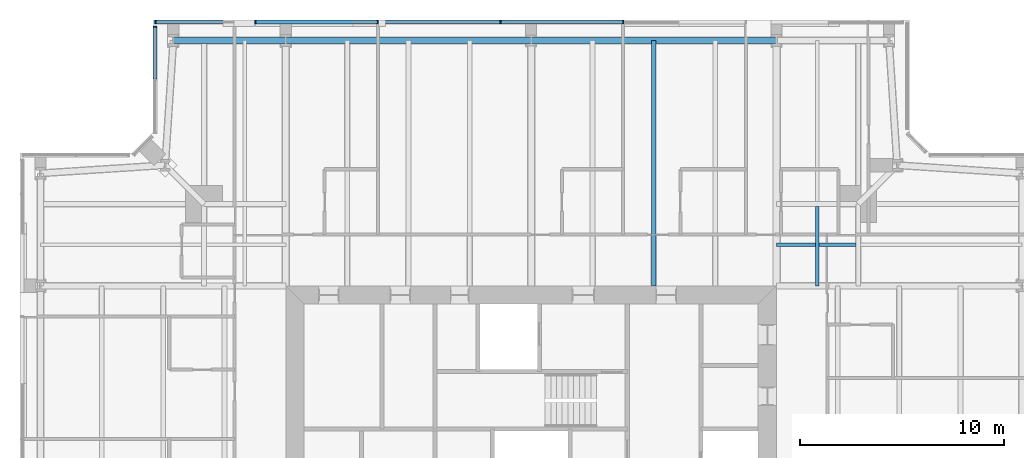
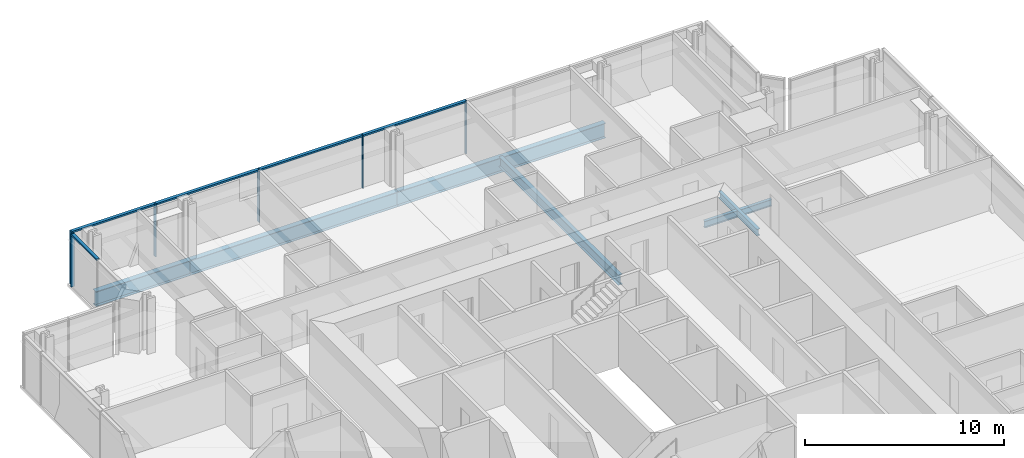
# One storey, part 8 of 18: 11 members, 7 beams, 2 elements without a shape of their own.
"""IFC4 building model written with IfcOpenShell, lengths in metres."""

from ifc_helpers import new_model, si_unit, direction, frame, origin, origin_2d, place, context, subcontext, project, spatial, rectangle, i_section, extrude, material, material_profile, profile_set, type_object, element, aggregate, save


model = new_model("IFC4")

# Units and contexts
model_context = context("Model", 3, precision=1e-05, world=origin(), true_north=direction((0.0, 1.0)))
body_context = subcontext(model_context, "Body", "Model", "MODEL_VIEW")
ifc_project = project(units=[si_unit("LENGTHUNIT", "METRE"), si_unit("AREAUNIT", "SQUARE_METRE"), si_unit("VOLUMEUNIT", "CUBIC_METRE"), si_unit("PLANEANGLEUNIT", "RADIAN"), si_unit("MASSUNIT", "GRAM", prefix="KILO")], contexts=[model_context])

# Site, building, storey
site_placement = place(None, origin())
site = spatial("IfcSite", under=ifc_project, at=site_placement, CompositionType="ELEMENT")
building_placement = place(site_placement, origin())
building = spatial("IfcBuilding", under=site, at=building_placement, Name="Fenwick Lantern Interchange", CompositionType="ELEMENT")
storey_placement = place(building_placement, frame((0.0, 0.0, 266.199951171875)))
storey = spatial("IfcBuildingStorey", under=building, at=storey_placement, Name="L63", CompositionType="ELEMENT", Elevation=266.199951171875)

# Beams
ifc_material_1 = material(Name="Steel ASTM A992 Grade 50", Category="steel")
ifc_material_profile_1 = material_profile(ifc_material_1, i_section(OverallWidth=0.3046875, OverallDepth=0.911865234375, WebThickness=0.015869140625, FlangeThickness=0.02392578125, at=origin_2d()), Name="W36X150")
ifc_profile_set_1 = profile_set([ifc_material_profile_1], Name="Steel ASTM A992 Grade 50")
beam_type_1 = type_object("IfcBeamType", Name="EDGE BEAM W36X150", PredefinedType="SPANDREL", material=ifc_profile_set_1)
for number, where, z_axis, x_axis, name in (
    (1, (37.0, 49.0, -0.60595703125), (-1.0, 0.0, 0.0), (0.0, -1.0, 0.0), "L63/FR/N/EB2"),
    (2, (25.0, 49.0, -0.60595703125), (-1.0, 0.0, 0.0), (0.0, -1.0, 0.0), "L63/FR/N/EB3"),
):
    element("IfcBeam", number, at=place(storey_placement, frame(where, z_axis=z_axis, x_axis=x_axis)), inside=storey, type_object=beam_type_1, Name=name, PredefinedType="SPANDREL", context=body_context, shape_type="SweptSolid", body=[
        extrude(i_section(OverallWidth=0.3046875, OverallDepth=0.911865234375, WebThickness=0.015869140625, FlangeThickness=0.02392578125, at=origin_2d()), origin(), (0.0, 0.0, 1.0), 12.0),
    ])
beam_1_placement = place(storey_placement, frame((13.0, 49.0, -0.60595703125), z_axis=(-1.0, 0.0, 0.0), x_axis=(0.0, -1.0, 0.0)))
element("IfcBeam", 3, at=beam_1_placement, inside=storey, type_object=beam_type_1, Name="L63/FR/N/EB4", PredefinedType="SPANDREL", context=body_context, shape_type="SweptSolid", body=[
    extrude(i_section(OverallWidth=0.3046875, OverallDepth=0.911865234375, WebThickness=0.015869140625, FlangeThickness=0.02392578125, at=origin_2d()), origin(), (0.0, 0.0, 1.0), 5.5),
])
ifc_material_profile_2 = material_profile(ifc_material_1, i_section(OverallWidth=0.22900390625, OverallDepth=0.612060546875, WebThickness=0.011962890625, FlangeThickness=0.01953125, at=origin_2d()), Name="W24X84")
ifc_profile_set_2 = profile_set([ifc_material_profile_2], Name="Steel ASTM A992 Grade 50")
beam_type_2 = type_object("IfcBeamType", Name="FLOOR BEAM W24X84", PredefinedType="BEAM", material=ifc_profile_set_2)
beam_2_placement = place(storey_placement, frame((31.0, 49.0, -0.4560546875), z_axis=(0.0, -1.0, 0.0), x_axis=(1.0, 0.0, 0.0)))
element("IfcBeam", 4, at=beam_2_placement, inside=storey, type_object=beam_type_2, Name="L63/FR/N/R03", PredefinedType="BEAM", context=body_context, shape_type="SweptSolid", body=[
    extrude(i_section(OverallWidth=0.22900390625, OverallDepth=0.612060546875, WebThickness=0.011962890625, FlangeThickness=0.01953125, at=origin_2d()), origin(), (0.0, 0.0, 1.0), 12.0),
])

# Curtain wall, members
ifc_material_2 = material(Name="Aluminium curtain wall frame", Category="aluminium")
curtain_wall_type = type_object("IfcCurtainWallType", Name="HOTEL CURTAIN WALL", PredefinedType="USERDEFINED", material=ifc_material_2)
curtain_wall_1_placement = place(storey_placement, origin())
curtain_wall_1 = element("IfcCurtainWall", 5, at=curtain_wall_1_placement, inside=storey, type_object=curtain_wall_type, Name="Hotel curtain wall 09", ObjectType="HOTEL CURTAIN WALL", PredefinedType="USERDEFINED")
ifc_material_3 = material(Name="Aluminium extrusion", Category="aluminium")
ifc_material_profile_3 = material_profile(ifc_material_3, rectangle(XDim=0.179931640625, YDim=0.06005859375, at=origin_2d()), Name="HOTEL CURTAIN WALL MULLION 60 X 180")
ifc_profile_set_3 = profile_set([ifc_material_profile_3], Name="Aluminium extrusion")
member_type_1 = type_object("IfcMemberType", Name="HOTEL CURTAIN WALL MULLION 60 X 180", PredefinedType="MULLION", material=ifc_profile_set_3)
member_1_placement = place(storey_placement, frame((29.5, 49.89990234375, 0.0), z_axis=(0.0, 0.0, 1.0), x_axis=(0.0, -1.0, 0.0)))
member_1 = element("IfcMember", 6, at=member_1_placement, type_object=member_type_1, Name="L63/CW/09/M03", PredefinedType="MULLION", context=body_context, shape_type="SweptSolid", body=[
    extrude(rectangle(XDim=0.179931640625, YDim=0.06005859375, at=origin_2d()), origin(), (0.0, 0.0, 1.0), 3.25),
])
member_2_placement = place(storey_placement, frame((23.5, 49.89990234375, 0.0), z_axis=(0.0, 0.0, 1.0), x_axis=(0.0, -1.0, 0.0)))
member_2 = element("IfcMember", 7, at=member_2_placement, type_object=member_type_1, Name="L63/CW/09/M04", PredefinedType="MULLION", context=body_context, shape_type="SweptSolid", body=[
    extrude(rectangle(XDim=0.179931640625, YDim=0.06005859375, at=origin_2d()), origin(), (0.0, 0.0, 1.0), 3.25),
])
member_3_placement = place(storey_placement, frame((17.5, 49.89990234375, 0.0), z_axis=(0.0, 0.0, 1.0), x_axis=(0.0, -1.0, 0.0)))
member_3 = element("IfcMember", 8, at=member_3_placement, type_object=member_type_1, Name="L63/CW/09/M05", PredefinedType="MULLION", context=body_context, shape_type="SweptSolid", body=[
    extrude(rectangle(XDim=0.179931640625, YDim=0.06005859375, at=origin_2d()), origin(), (0.0, 0.0, 1.0), 3.25),
])
member_4_placement = place(storey_placement, frame((11.5, 49.89990234375, 0.0), z_axis=(0.0, 0.0, 1.0), x_axis=(0.0, -1.0, 0.0)))
member_4 = element("IfcMember", 9, at=member_4_placement, type_object=member_type_1, Name="L63/CW/09/M06", PredefinedType="MULLION", context=body_context, shape_type="SweptSolid", body=[
    extrude(rectangle(XDim=0.179931640625, YDim=0.06005859375, at=origin_2d()), origin(), (0.0, 0.0, 1.0), 3.25),
])
member_5_placement = place(storey_placement, frame((6.6298828125, 49.89990234375, 0.0), z_axis=(0.0, 0.0, 1.0), x_axis=(0.0, -1.0, 0.0)))
member_5 = element("IfcMember", 10, at=member_5_placement, type_object=member_type_1, Name="L63/CW/09/M07", PredefinedType="MULLION", context=body_context, shape_type="SweptSolid", body=[
    extrude(rectangle(XDim=0.179931640625, YDim=0.06005859375, at=origin_2d()), origin(), (0.0, 0.0, 1.0), 3.25),
])

# Curtain wall, member
curtain_wall_2_placement = place(storey_placement, origin())
curtain_wall_2 = element("IfcCurtainWall", 11, at=curtain_wall_2_placement, inside=storey, type_object=curtain_wall_type, Name="Hotel curtain wall 10", ObjectType="HOTEL CURTAIN WALL", PredefinedType="USERDEFINED")
member_6_placement = place(storey_placement, frame((6.60009765625, 49.669921875, 0.0), z_axis=(0.0, 0.0, 1.0), x_axis=(1.0, 0.0, 0.0)))
member_6 = element("IfcMember", 12, at=member_6_placement, type_object=member_type_1, Name="L63/CW/10/M00", PredefinedType="MULLION", context=body_context, shape_type="SweptSolid", body=[
    extrude(rectangle(XDim=0.179931640625, YDim=0.06005859375, at=origin_2d()), origin(), (0.0, 0.0, 1.0), 3.25),
])

# Member
ifc_material_profile_4 = material_profile(ifc_material_3, rectangle(XDim=0.179931640625, YDim=0.10009765625, at=origin_2d()), Name="HOTEL CURTAIN WALL TRANSOM 100 X 180")
ifc_profile_set_4 = profile_set([ifc_material_profile_4], Name="Aluminium extrusion")
member_type_2 = type_object("IfcMemberType", Name="HOTEL CURTAIN WALL TRANSOM 100 X 180", PredefinedType="MULLION", material=ifc_profile_set_4)
member_7_placement = place(storey_placement, frame((29.469970703125, 49.89990234375, 3.199951171875), z_axis=(-1.0, 0.0, 0.0), x_axis=(0.0, -1.0, 0.0)))
member_7 = element("IfcMember", 13, at=member_7_placement, type_object=member_type_2, Name="L63/CW/09/T03", PredefinedType="MULLION", context=body_context, shape_type="SweptSolid", body=[
    extrude(rectangle(XDim=0.179931640625, YDim=0.10009765625, at=origin_2d()), origin(), (0.0, 0.0, 1.0), 5.93994140625),
])

member_8_placement = place(storey_placement, frame((23.469970703125, 49.89990234375, 3.199951171875), z_axis=(-1.0, 0.0, 0.0), x_axis=(0.0, -1.0, 0.0)))
member_8 = element("IfcMember", 14, at=member_8_placement, type_object=member_type_2, Name="L63/CW/09/T04", PredefinedType="MULLION", context=body_context, shape_type="SweptSolid", body=[
    extrude(rectangle(XDim=0.179931640625, YDim=0.10009765625, at=origin_2d()), origin(), (0.0, 0.0, 1.0), 5.93994140625),
])

member_9_placement = place(storey_placement, frame((17.469970703125, 49.89990234375, 3.199951171875), z_axis=(-1.0, 0.0, 0.0), x_axis=(0.0, -1.0, 0.0)))
member_9 = element("IfcMember", 15, at=member_9_placement, type_object=member_type_2, Name="L63/CW/09/T05", PredefinedType="MULLION", context=body_context, shape_type="SweptSolid", body=[
    extrude(rectangle(XDim=0.179931640625, YDim=0.10009765625, at=origin_2d()), origin(), (0.0, 0.0, 1.0), 5.93994140625),
])

member_10_placement = place(storey_placement, frame((11.469970703125, 49.89990234375, 3.199951171875), z_axis=(-1.0, 0.0, 0.0), x_axis=(0.0, -1.0, 0.0)))
member_10 = element("IfcMember", 16, at=member_10_placement, type_object=member_type_2, Name="L63/CW/09/T06", PredefinedType="MULLION", context=body_context, shape_type="SweptSolid", body=[
    extrude(rectangle(XDim=0.179931640625, YDim=0.10009765625, at=origin_2d()), origin(), (0.0, 0.0, 1.0), 4.81005859375),
])

aggregate(curtain_wall_1, [member_1, member_2, member_3, member_4, member_5, member_7, member_8, member_9, member_10])

member_11_placement = place(storey_placement, frame((6.60009765625, 49.639892578125, 3.199951171875), z_axis=(0.0, -1.0, 0.0), x_axis=(1.0, 0.0, 0.0)))
member_11 = element("IfcMember", 17, at=member_11_placement, type_object=member_type_2, Name="L63/CW/10/T00", PredefinedType="MULLION", context=body_context, shape_type="SweptSolid", body=[
    extrude(rectangle(XDim=0.179931640625, YDim=0.10009765625, at=origin_2d()), origin(), (0.0, 0.0, 1.0), 2.530517578125),
])

aggregate(curtain_wall_2, [member_6, member_11])

# Beams
ifc_material_profile_5 = material_profile(ifc_material_1, i_section(OverallWidth=0.177734375, OverallDepth=0.406494140625, WebThickness=0.0078125, FlangeThickness=0.012939453125, at=origin_2d()), Name="W16X40")
ifc_profile_set_5 = profile_set([ifc_material_profile_5], Name="Steel ASTM A992 Grade 50")
beam_type_3 = type_object("IfcBeamType", Name="INFILL BEAM W16X40", PredefinedType="JOIST", material=ifc_profile_set_5)
beam_3_placement = place(storey_placement, frame((39.0, 40.885498046875, -0.353271484375), z_axis=(0.0, -1.0, 0.0), x_axis=(1.0, 0.0, 0.0)))
element("IfcBeam", 18, at=beam_3_placement, inside=storey, type_object=beam_type_3, Name="L63/FR/N/J2", PredefinedType="JOIST", context=body_context, shape_type="SweptSolid", body=[
    extrude(i_section(OverallWidth=0.177734375, OverallDepth=0.406494140625, WebThickness=0.0078125, FlangeThickness=0.012939453125, at=origin_2d()), origin(), (0.0, 0.0, 1.0), 3.885498046875),
])
beam_4_placement = place(storey_placement, frame((40.885498046875, 39.0, -0.353271484375), z_axis=(-1.0, 0.0, 0.0), x_axis=(0.0, -1.0, 0.0)))
element("IfcBeam", 19, at=beam_4_placement, inside=storey, type_object=beam_type_3, Name="L63/FR/N/J4", PredefinedType="JOIST", context=body_context, shape_type="SweptSolid", body=[
    extrude(i_section(OverallWidth=0.177734375, OverallDepth=0.406494140625, WebThickness=0.0078125, FlangeThickness=0.012939453125, at=origin_2d()), origin(), (0.0, 0.0, 1.0), 1.796630859375),
])
beam_5_placement = place(storey_placement, frame((38.9111328125, 39.0, -0.353271484375), z_axis=(-1.0, 0.0, 0.0), x_axis=(0.0, -1.0, 0.0)))
element("IfcBeam", 20, at=beam_5_placement, inside=storey, type_object=beam_type_3, Name="L63/FR/N/J5", PredefinedType="JOIST", context=body_context, shape_type="SweptSolid", body=[
    extrude(i_section(OverallWidth=0.177734375, OverallDepth=0.406494140625, WebThickness=0.0078125, FlangeThickness=0.012939453125, at=origin_2d()), origin(), (0.0, 0.0, 1.0), 1.9111328125),
])

save(model, "model.ifc")
